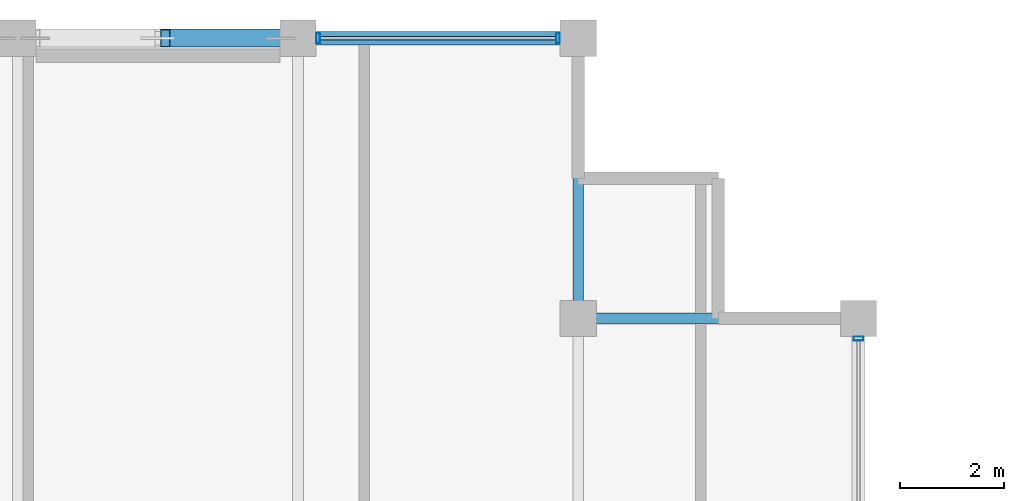
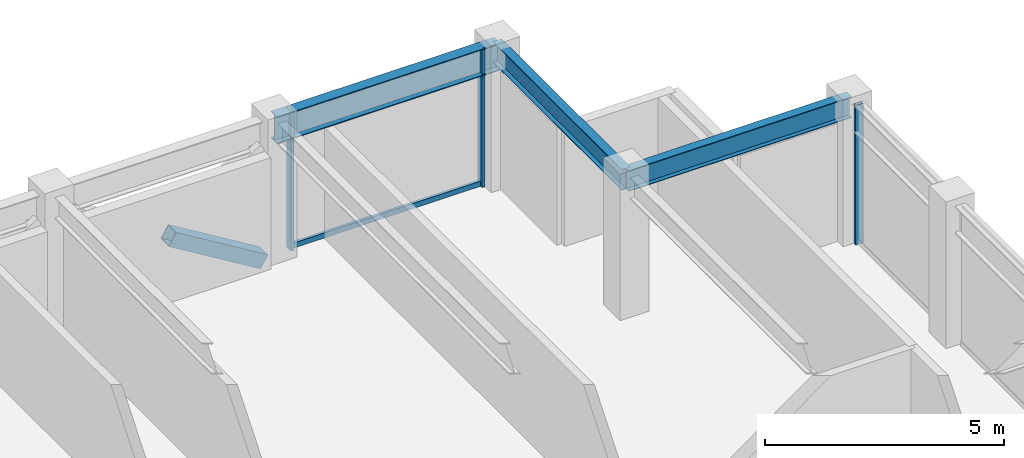
# One storey, part 22 of 32: 5 members, 3 beams, 2 elements without a shape of their own.
"""IFC4 building model written with IfcOpenShell, lengths in metres."""

from ifc_helpers import new_model, si_unit, direction, frame, origin, origin_2d, place, context, subcontext, project, spatial, hollow_rectangle, i_section, extrude, material, layer, layer_set, material_profile, profile_set, type_object, element, aggregate, save


model = new_model("IFC4")

# Units and contexts
model_context = context("Model", 3, precision=1e-05, world=origin(), true_north=direction((0.0, 1.0)))
body_context = subcontext(model_context, "Body", "Model", "MODEL_VIEW")
ifc_project = project(units=[si_unit("LENGTHUNIT", "METRE"), si_unit("AREAUNIT", "SQUARE_METRE"), si_unit("VOLUMEUNIT", "CUBIC_METRE"), si_unit("PLANEANGLEUNIT", "RADIAN"), si_unit("MASSUNIT", "GRAM", prefix="KILO")], contexts=[model_context])

# Site, building, storey
site_placement = place(None, origin())
site = spatial("IfcSite", under=ifc_project, at=site_placement, CompositionType="ELEMENT")
building_placement = place(site_placement, origin())
building = spatial("IfcBuilding", under=site, at=building_placement, Name="Surkhivell Harbour Commons", CompositionType="ELEMENT")
storey_placement = place(building_placement, frame((0.0, 0.0, 311.25)))
storey = spatial("IfcBuildingStorey", under=building, at=storey_placement, Name="L81", CompositionType="ELEMENT", Elevation=311.25)

# Beams
ifc_material_1 = material(Name="Steel S355", Category="steel")
ifc_material_profile_1 = material_profile(ifc_material_1, i_section(OverallWidth=0.2099609375, OverallDepth=0.537109375, WebThickness=0.0107421875, FlangeThickness=0.017333984375, at=origin_2d()), Name="UB533x210x101")
ifc_profile_set_1 = profile_set([ifc_material_profile_1], Name="Steel S355")
beam_type_1 = type_object("IfcBeamType", Name="BM-GRD-533B", PredefinedType="BEAM", material=ifc_profile_set_1)
for number, where, z_axis, x_axis, name in (
    (1, (10.800048828125, 20.5, 3.301513671875), (0.0, 1.0, 0.0), (-1.0, 0.0, 0.0), "L81 Floor Girder (10.8,20.5)"),
    (2, (10.800048828125, 20.5, 3.301513671875), (1.0, 0.0, 0.0), (0.0, 1.0, 0.0), "L81 Floor Girder (10.8,20.5)"),
):
    element("IfcBeam", number, at=place(storey_placement, frame(where, z_axis=z_axis, x_axis=x_axis)), inside=storey, type_object=beam_type_1, Name=name, PredefinedType="BEAM", context=body_context, shape_type="SweptSolid", body=[
        extrude(i_section(OverallWidth=0.2099609375, OverallDepth=0.537109375, WebThickness=0.0107421875, FlangeThickness=0.017333984375, at=origin_2d()), origin(), (0.0, 0.0, 1.0), 5.39990234375),
    ])
ifc_material_profile_2 = material_profile(ifc_material_1, i_section(OverallWidth=0.256103515625, OverallDepth=0.693115234375, WebThickness=0.014404296875, FlangeThickness=0.023681640625, at=origin_2d()), Name="UB686x254x170")
ifc_profile_set_2 = profile_set([ifc_material_profile_2], Name="Steel S355")
beam_type_2 = type_object("IfcBeamType", Name="BM-SPN-686", PredefinedType="SPANDREL", material=ifc_profile_set_2)
beam_placement = place(storey_placement, frame((5.39990234375, 25.89990234375, 3.223388671875), z_axis=(1.0, 0.0, 0.0), x_axis=(0.0, 1.0, 0.0)))
element("IfcBeam", 3, at=beam_placement, inside=storey, type_object=beam_type_2, Name="L81 Tube Spandrel (5.4,25.9)", PredefinedType="SPANDREL", context=body_context, shape_type="SweptSolid", body=[
    extrude(i_section(OverallWidth=0.256103515625, OverallDepth=0.693115234375, WebThickness=0.014404296875, FlangeThickness=0.023681640625, at=origin_2d()), origin(), (0.0, 0.0, 1.0), 5.400146484375),
])

# Curtain wall, member
ifc_material_2 = material(Name="Anodised pale-metal aluminium and insulated glazing", Category="aluminium")
ifc_layer = layer(ifc_material_2, 0.175048828125)
ifc_layer_set = layer_set([ifc_layer], Name="Anodised pale-metal aluminium and insulated glazing")
curtain_wall_type = type_object("IfcCurtainWallType", Name="CW-SYS-Z4", PredefinedType="NOTDEFINED", material=ifc_layer_set)
curtain_wall_1_placement = place(storey_placement, origin())
curtain_wall_1 = element("IfcCurtainWall", 4, at=curtain_wall_1_placement, inside=storey, type_object=curtain_wall_type, Name="L81 Curtain Wall CW-L81-E02R2", PredefinedType="NOTDEFINED")
ifc_material_3 = material(Name="Anodised pale-metal aluminium alloy 6063-T6", Category="aluminium")
ifc_material_profile_3 = material_profile(ifc_material_3, hollow_rectangle(XDim=0.074951171875, YDim=0.18994140625, WallThickness=0.00390625, at=origin_2d()), Name="ALU-MULL-75x190")
ifc_profile_set_3 = profile_set([ifc_material_profile_3], Name="Anodised pale-metal aluminium alloy 6063-T6")
member_type_1 = type_object("IfcMemberType", Name="CWM-190", PredefinedType="MULLION", material=ifc_profile_set_3)
member_1_placement = place(storey_placement, frame((16.199951171875, 20.110595703125, 0.0), z_axis=(0.0, 0.0, 1.0), x_axis=(0.0, 1.0, 0.0)))
member_1 = element("IfcMember", 5, at=member_1_placement, type_object=member_type_1, Name="CW-Z4 mullion 4", PredefinedType="MULLION", context=body_context, shape_type="SweptSolid", body=[
    extrude(hollow_rectangle(XDim=0.074951171875, YDim=0.18994140625, WallThickness=0.00390625, at=origin_2d()), origin(), (0.0, 0.0, 1.0), 3.570068359375),
])
aggregate(curtain_wall_1, [member_1])

# Curtain wall, members
curtain_wall_2_placement = place(storey_placement, origin())
curtain_wall_2 = element("IfcCurtainWall", 6, at=curtain_wall_2_placement, inside=storey, type_object=curtain_wall_type, Name="L81 Curtain Wall CW-L81-E07S1", PredefinedType="NOTDEFINED")
member_2_placement = place(storey_placement, frame((10.410400390625, 25.89990234375, 0.0), z_axis=(0.0, 0.0, 1.0), x_axis=(-1.0, 0.0, 0.0)))
member_2 = element("IfcMember", 7, at=member_2_placement, type_object=member_type_1, Name="CW-Z4 mullion 1", PredefinedType="MULLION", context=body_context, shape_type="SweptSolid", body=[
    extrude(hollow_rectangle(XDim=0.074951171875, YDim=0.18994140625, WallThickness=0.00390625, at=origin_2d()), origin(), (0.0, 0.0, 1.0), 3.570068359375),
])
member_3_placement = place(storey_placement, frame((5.78955078125, 25.89990234375, 0.0), z_axis=(0.0, 0.0, 1.0), x_axis=(-1.0, 0.0, 0.0)))
member_3 = element("IfcMember", 8, at=member_3_placement, type_object=member_type_1, Name="CW-Z4 mullion 2", PredefinedType="MULLION", context=body_context, shape_type="SweptSolid", body=[
    extrude(hollow_rectangle(XDim=0.074951171875, YDim=0.18994140625, WallThickness=0.00390625, at=origin_2d()), origin(), (0.0, 0.0, 1.0), 3.570068359375),
])
ifc_material_4 = material(Name="Champagne anodised aluminium alloy 6063-T6", Category="aluminium")
ifc_material_profile_4 = material_profile(ifc_material_4, hollow_rectangle(XDim=0.070068359375, YDim=0.1298828125, WallThickness=0.00341796875, at=origin_2d()), Name="ALU-TRAN-70x130")
ifc_profile_set_4 = profile_set([ifc_material_profile_4], Name="Champagne anodised aluminium alloy 6063-T6")
member_type_2 = type_object("IfcMemberType", Name="CWT-130", PredefinedType="USERDEFINED", material=ifc_profile_set_4)
member_4_placement = place(storey_placement, frame((10.373046875, 25.89990234375, 0.06494140625), z_axis=(-1.0, 0.0, 0.0), x_axis=(0.0, -1.0, 0.0)))
member_4 = element("IfcMember", 9, at=member_4_placement, type_object=member_type_2, Name="CW-Z4 transom 1.1", ObjectType="TRANSOM", PredefinedType="USERDEFINED", context=body_context, shape_type="SweptSolid", body=[
    extrude(hollow_rectangle(XDim=0.070068359375, YDim=0.1298828125, WallThickness=0.00341796875, at=origin_2d()), origin(), (0.0, 0.0, 1.0), 4.546142578125),
])
aggregate(curtain_wall_2, [member_2, member_3, member_4])

# Member
ifc_material_profile_5 = material_profile(ifc_material_1, hollow_rectangle(XDim=0.35009765625, YDim=0.35009765625, WallThickness=0.01611328125, at=origin_2d()), Name="SHS350x350x16")
ifc_profile_set_5 = profile_set([ifc_material_profile_5], Name="Steel S355")
member_type_3 = type_object("IfcMemberType", Name="MEM-BRC-SHS350", PredefinedType="BRACE", material=ifc_profile_set_5)
member_5_placement = place(storey_placement, frame((5.06494140625, 25.89990234375, 0.008056640625), z_axis=(-0.854678858595, 0.0, 0.51915705588), x_axis=(0.0, -1.0, 0.0)))
element("IfcMember", 10, at=member_5_placement, inside=storey, type_object=member_type_3, Name="L81 Perimeter Mega-Brace MB- 05", PredefinedType="BRACE", context=body_context, shape_type="SweptSolid", body=[
    extrude(hollow_rectangle(XDim=0.35009765625, YDim=0.35009765625, WallThickness=0.01611328125, at=origin_2d()), origin(), (0.0, 0.0, 1.0), 2.59912109375),
])

save(model, "model.ifc")
